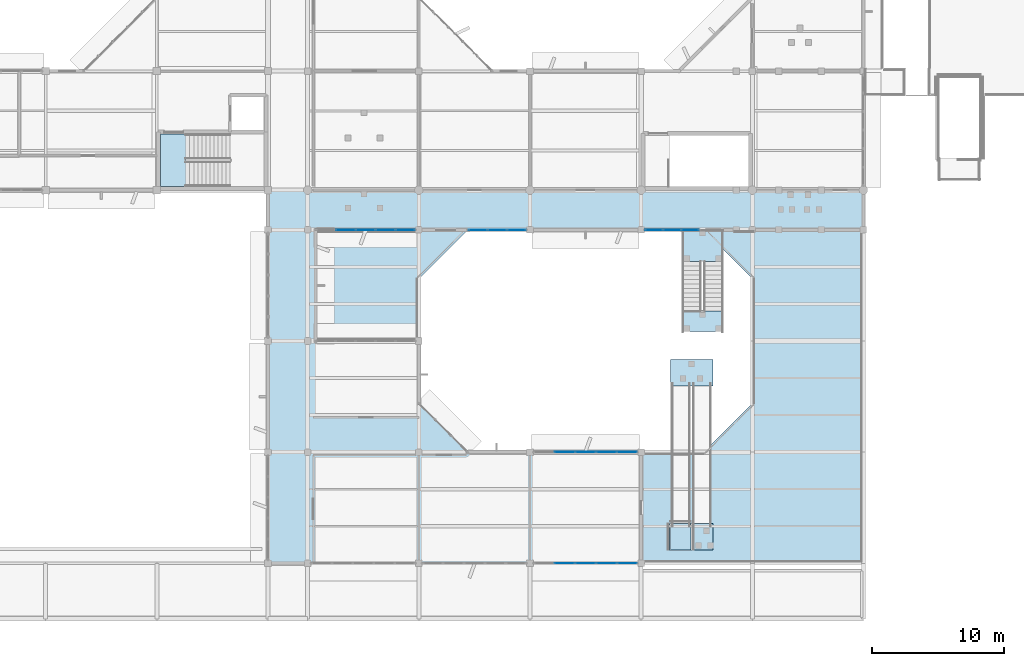
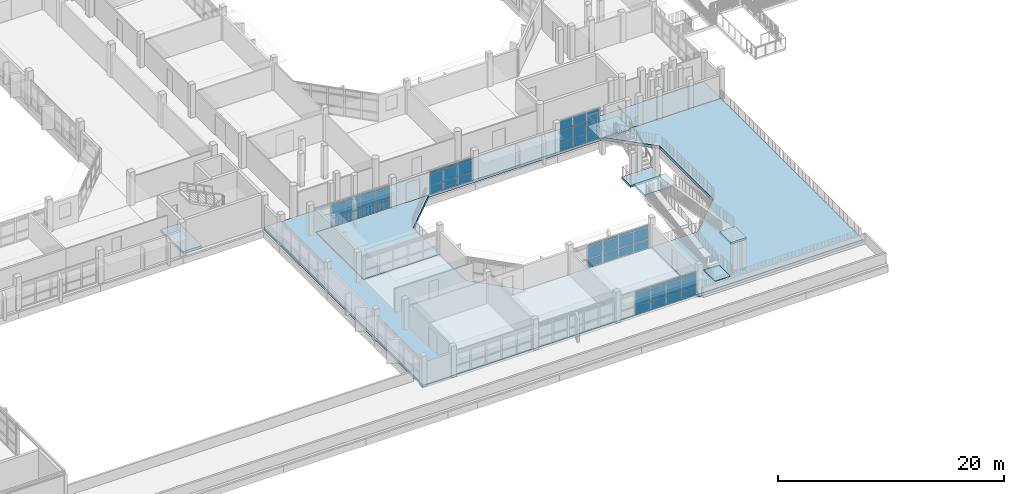
# One storey, part 49 of 92: 54 plates, 9 slabs, 7 elements without a shape of their own.
"""IFC4 building model written with IfcOpenShell, lengths in metres."""

from ifc_helpers import new_model, si_unit, direction, frame, origin, origin_2d, place, context, subcontext, project, spatial, polyline, rectangle, outline, extrude, material, layer, layer_set, type_object, element, aggregate, save


model = new_model("IFC4")

# Units and contexts
model_context = context("Model", 3, precision=1e-05, world=origin(), true_north=direction((0.0, 1.0)))
body_context = subcontext(model_context, "Body", "Model", "MODEL_VIEW")
ifc_project = project(units=[si_unit("LENGTHUNIT", "METRE"), si_unit("AREAUNIT", "SQUARE_METRE"), si_unit("VOLUMEUNIT", "CUBIC_METRE"), si_unit("PLANEANGLEUNIT", "RADIAN"), si_unit("MASSUNIT", "GRAM", prefix="KILO")], contexts=[model_context])

# Site, building, storey
site_placement = place(None, origin())
site = spatial("IfcSite", under=ifc_project, at=site_placement, CompositionType="ELEMENT")
building_placement = place(site_placement, origin())
building = spatial("IfcBuilding", under=site, at=building_placement, Name="Vanh Quang Courtyard School", CompositionType="ELEMENT")
storey_placement = place(building_placement, frame((0.0, 0.0, 7.800048828125)))
storey = spatial("IfcBuildingStorey", under=building, at=storey_placement, Name="L02", CompositionType="ELEMENT", Elevation=7.800048828125)

# Curtain wall, plates
ifc_material_1 = material(Name="Thermally broken aluminium unitised curtain wall", Category="aluminium")
curtain_wall_type_1 = type_object("IfcCurtainWallType", Name="CW-SYS-14", PredefinedType="NOTDEFINED", material=ifc_material_1)
curtain_wall_1_placement = place(storey_placement, origin())
curtain_wall_1 = element("IfcCurtainWall", 1, at=curtain_wall_1_placement, inside=storey, type_object=curtain_wall_type_1, Name="Curtain Wall CW-14 (L02)", PredefinedType="NOTDEFINED")
ifc_material_2 = material(Name="Low-E laminated double glazing", Category="glass")
ifc_layer_1 = layer(ifc_material_2, 0.028076171875)
ifc_layer_set_1 = layer_set([ifc_layer_1], Name="Low-E laminated double glazing")
plate_type_1 = type_object("IfcPlateType", Name="CW-PNL-28", PredefinedType="CURTAIN_PANEL", material=ifc_layer_set_1)
plate_1_placement = place(storey_placement, frame((106.306396484375, 29.39990234375, 0.06982421875), z_axis=(0.0, 0.0, 1.0), x_axis=(-1.0, 0.0, 0.0)))
plate_1 = element("IfcPlate", 2, at=plate_1_placement, type_object=plate_type_1, Name="CW-14 panel 1.1", PredefinedType="CURTAIN_PANEL", context=body_context, shape_type="SweptSolid", body=[
    extrude(rectangle(XDim=1.28125, YDim=0.028076171875, at=origin_2d()), origin(), (0.0, 0.0, 1.0), 0.844970703125),
])
plate_2_placement = place(storey_placement, frame((106.306396484375, 29.39990234375, 0.98486328125), z_axis=(0.0, 0.0, 1.0), x_axis=(-1.0, 0.0, 0.0)))
plate_2 = element("IfcPlate", 3, at=plate_2_placement, type_object=plate_type_1, Name="CW-14 panel 1.2", PredefinedType="CURTAIN_PANEL", context=body_context, shape_type="SweptSolid", body=[
    extrude(rectangle(XDim=1.28125, YDim=0.028076171875, at=origin_2d()), origin(), (0.0, 0.0, 1.0), 1.22998046875),
])
plate_3_placement = place(storey_placement, frame((106.306396484375, 29.39990234375, 2.28466796875), z_axis=(0.0, 0.0, 1.0), x_axis=(-1.0, 0.0, 0.0)))
plate_3 = element("IfcPlate", 4, at=plate_3_placement, type_object=plate_type_1, Name="CW-14 panel 1.3", PredefinedType="CURTAIN_PANEL", context=body_context, shape_type="SweptSolid", body=[
    extrude(rectangle(XDim=1.28125, YDim=0.028076171875, at=origin_2d()), origin(), (0.0, 0.0, 1.0), 0.985107421875),
])
plate_4_placement = place(storey_placement, frame((104.9375, 29.39990234375, 0.06982421875), z_axis=(0.0, 0.0, 1.0), x_axis=(-1.0, 0.0, 0.0)))
plate_4 = element("IfcPlate", 5, at=plate_4_placement, type_object=plate_type_1, Name="CW-14 panel 2.1", PredefinedType="CURTAIN_PANEL", context=body_context, shape_type="SweptSolid", body=[
    extrude(rectangle(XDim=1.31640625, YDim=0.028076171875, at=origin_2d()), origin(), (0.0, 0.0, 1.0), 0.844970703125),
])
plate_5_placement = place(storey_placement, frame((104.9375, 29.39990234375, 0.98486328125), z_axis=(0.0, 0.0, 1.0), x_axis=(-1.0, 0.0, 0.0)))
plate_5 = element("IfcPlate", 6, at=plate_5_placement, type_object=plate_type_1, Name="CW-14 panel 2.2", PredefinedType="CURTAIN_PANEL", context=body_context, shape_type="SweptSolid", body=[
    extrude(rectangle(XDim=1.31640625, YDim=0.028076171875, at=origin_2d()), origin(), (0.0, 0.0, 1.0), 1.22998046875),
])
plate_6_placement = place(storey_placement, frame((104.9375, 29.39990234375, 2.28466796875), z_axis=(0.0, 0.0, 1.0), x_axis=(-1.0, 0.0, 0.0)))
plate_6 = element("IfcPlate", 7, at=plate_6_placement, type_object=plate_type_1, Name="CW-14 panel 2.3", PredefinedType="CURTAIN_PANEL", context=body_context, shape_type="SweptSolid", body=[
    extrude(rectangle(XDim=1.31640625, YDim=0.028076171875, at=origin_2d()), origin(), (0.0, 0.0, 1.0), 0.985107421875),
])
plate_7_placement = place(storey_placement, frame((103.568603515625, 29.39990234375, 0.06982421875), z_axis=(0.0, 0.0, 1.0), x_axis=(-1.0, 0.0, 0.0)))
plate_7 = element("IfcPlate", 8, at=plate_7_placement, type_object=plate_type_1, Name="CW-14 panel 3.1", PredefinedType="CURTAIN_PANEL", context=body_context, shape_type="SweptSolid", body=[
    extrude(rectangle(XDim=1.28125, YDim=0.028076171875, at=origin_2d()), origin(), (0.0, 0.0, 1.0), 0.844970703125),
])
plate_8_placement = place(storey_placement, frame((103.568603515625, 29.39990234375, 0.98486328125), z_axis=(0.0, 0.0, 1.0), x_axis=(-1.0, 0.0, 0.0)))
plate_8 = element("IfcPlate", 9, at=plate_8_placement, type_object=plate_type_1, Name="CW-14 panel 3.2", PredefinedType="CURTAIN_PANEL", context=body_context, shape_type="SweptSolid", body=[
    extrude(rectangle(XDim=1.28125, YDim=0.028076171875, at=origin_2d()), origin(), (0.0, 0.0, 1.0), 1.22998046875),
])
plate_9_placement = place(storey_placement, frame((103.568603515625, 29.39990234375, 2.28466796875), z_axis=(0.0, 0.0, 1.0), x_axis=(-1.0, 0.0, 0.0)))
plate_9 = element("IfcPlate", 10, at=plate_9_placement, type_object=plate_type_1, Name="CW-14 panel 3.3", PredefinedType="CURTAIN_PANEL", context=body_context, shape_type="SweptSolid", body=[
    extrude(rectangle(XDim=1.28125, YDim=0.028076171875, at=origin_2d()), origin(), (0.0, 0.0, 1.0), 0.985107421875),
])
aggregate(curtain_wall_1, [plate_1, plate_2, plate_3, plate_4, plate_5, plate_6, plate_7, plate_8, plate_9])

curtain_wall_type_2 = type_object("IfcCurtainWallType", Name="CW-SYS-47", PredefinedType="NOTDEFINED", material=ifc_material_1)
curtain_wall_2_placement = place(storey_placement, origin())
curtain_wall_2 = element("IfcCurtainWall", 11, at=curtain_wall_2_placement, inside=storey, type_object=curtain_wall_type_2, Name="Curtain Wall CW-47 (L02)", PredefinedType="NOTDEFINED")
plate_10_placement = place(storey_placement, frame((84.772705078125, 29.39990234375, 0.06005859375), z_axis=(0.0, 0.0, 1.0), x_axis=(-1.0, 0.0, 0.0)))
plate_10 = element("IfcPlate", 12, at=plate_10_placement, type_object=plate_type_1, Name="CW-47 panel 1.1", PredefinedType="CURTAIN_PANEL", context=body_context, shape_type="SweptSolid", body=[
    extrude(rectangle(XDim=1.41845703125, YDim=0.028076171875, at=origin_2d()), origin(), (0.0, 0.0, 1.0), 0.860107421875),
])
plate_11_placement = place(storey_placement, frame((84.772705078125, 29.39990234375, 0.97998046875), z_axis=(0.0, 0.0, 1.0), x_axis=(-1.0, 0.0, 0.0)))
plate_11 = element("IfcPlate", 13, at=plate_11_placement, type_object=plate_type_1, Name="CW-47 panel 1.2", PredefinedType="CURTAIN_PANEL", context=body_context, shape_type="SweptSolid", body=[
    extrude(rectangle(XDim=1.41845703125, YDim=0.028076171875, at=origin_2d()), origin(), (0.0, 0.0, 1.0), 1.239990234375),
])
plate_12_placement = place(storey_placement, frame((84.772705078125, 29.39990234375, 2.27978515625), z_axis=(0.0, 0.0, 1.0), x_axis=(-1.0, 0.0, 0.0)))
plate_12 = element("IfcPlate", 14, at=plate_12_placement, type_object=plate_type_1, Name="CW-47 panel 1.3", PredefinedType="CURTAIN_PANEL", context=body_context, shape_type="SweptSolid", body=[
    extrude(rectangle(XDim=1.41845703125, YDim=0.028076171875, at=origin_2d()), origin(), (0.0, 0.0, 1.0), 0.239990234375),
])
plate_13_placement = place(storey_placement, frame((83.279296875, 29.39990234375, 0.06005859375), z_axis=(0.0, 0.0, 1.0), x_axis=(-1.0, 0.0, 0.0)))
plate_13 = element("IfcPlate", 15, at=plate_13_placement, type_object=plate_type_1, Name="CW-47 panel 2.1", PredefinedType="CURTAIN_PANEL", context=body_context, shape_type="SweptSolid", body=[
    extrude(rectangle(XDim=1.448486328125, YDim=0.028076171875, at=origin_2d()), origin(), (0.0, 0.0, 1.0), 0.860107421875),
])
plate_14_placement = place(storey_placement, frame((83.279296875, 29.39990234375, 0.97998046875), z_axis=(0.0, 0.0, 1.0), x_axis=(-1.0, 0.0, 0.0)))
plate_14 = element("IfcPlate", 16, at=plate_14_placement, type_object=plate_type_1, Name="CW-47 panel 2.2", PredefinedType="CURTAIN_PANEL", context=body_context, shape_type="SweptSolid", body=[
    extrude(rectangle(XDim=1.448486328125, YDim=0.028076171875, at=origin_2d()), origin(), (0.0, 0.0, 1.0), 1.239990234375),
])
plate_15_placement = place(storey_placement, frame((83.279296875, 29.39990234375, 2.27978515625), z_axis=(0.0, 0.0, 1.0), x_axis=(-1.0, 0.0, 0.0)))
plate_15 = element("IfcPlate", 17, at=plate_15_placement, type_object=plate_type_1, Name="CW-47 panel 2.3", PredefinedType="CURTAIN_PANEL", context=body_context, shape_type="SweptSolid", body=[
    extrude(rectangle(XDim=1.448486328125, YDim=0.028076171875, at=origin_2d()), origin(), (0.0, 0.0, 1.0), 0.239990234375),
])
plate_16_placement = place(storey_placement, frame((81.77099609375, 29.39990234375, 0.06005859375), z_axis=(0.0, 0.0, 1.0), x_axis=(-1.0, 0.0, 0.0)))
plate_16 = element("IfcPlate", 18, at=plate_16_placement, type_object=plate_type_1, Name="CW-47 panel 3.1", PredefinedType="CURTAIN_PANEL", context=body_context, shape_type="SweptSolid", body=[
    extrude(rectangle(XDim=1.448486328125, YDim=0.028076171875, at=origin_2d()), origin(), (0.0, 0.0, 1.0), 0.860107421875),
])
plate_17_placement = place(storey_placement, frame((81.77099609375, 29.39990234375, 0.97998046875), z_axis=(0.0, 0.0, 1.0), x_axis=(-1.0, 0.0, 0.0)))
plate_17 = element("IfcPlate", 19, at=plate_17_placement, type_object=plate_type_1, Name="CW-47 panel 3.2", PredefinedType="CURTAIN_PANEL", context=body_context, shape_type="SweptSolid", body=[
    extrude(rectangle(XDim=1.448486328125, YDim=0.028076171875, at=origin_2d()), origin(), (0.0, 0.0, 1.0), 1.239990234375),
])
plate_18_placement = place(storey_placement, frame((81.77099609375, 29.39990234375, 2.27978515625), z_axis=(0.0, 0.0, 1.0), x_axis=(-1.0, 0.0, 0.0)))
plate_18 = element("IfcPlate", 20, at=plate_18_placement, type_object=plate_type_1, Name="CW-47 panel 3.3", PredefinedType="CURTAIN_PANEL", context=body_context, shape_type="SweptSolid", body=[
    extrude(rectangle(XDim=1.448486328125, YDim=0.028076171875, at=origin_2d()), origin(), (0.0, 0.0, 1.0), 0.239990234375),
])
plate_19_placement = place(storey_placement, frame((80.2626953125, 29.39990234375, 0.06005859375), z_axis=(0.0, 0.0, 1.0), x_axis=(-1.0, 0.0, 0.0)))
plate_19 = element("IfcPlate", 21, at=plate_19_placement, type_object=plate_type_1, Name="CW-47 panel 4.1", PredefinedType="CURTAIN_PANEL", context=body_context, shape_type="SweptSolid", body=[
    extrude(rectangle(XDim=1.448486328125, YDim=0.028076171875, at=origin_2d()), origin(), (0.0, 0.0, 1.0), 0.860107421875),
])
plate_20_placement = place(storey_placement, frame((80.2626953125, 29.39990234375, 0.97998046875), z_axis=(0.0, 0.0, 1.0), x_axis=(-1.0, 0.0, 0.0)))
plate_20 = element("IfcPlate", 22, at=plate_20_placement, type_object=plate_type_1, Name="CW-47 panel 4.2", PredefinedType="CURTAIN_PANEL", context=body_context, shape_type="SweptSolid", body=[
    extrude(rectangle(XDim=1.448486328125, YDim=0.028076171875, at=origin_2d()), origin(), (0.0, 0.0, 1.0), 1.239990234375),
])
plate_21_placement = place(storey_placement, frame((80.2626953125, 29.39990234375, 2.27978515625), z_axis=(0.0, 0.0, 1.0), x_axis=(-1.0, 0.0, 0.0)))
plate_21 = element("IfcPlate", 23, at=plate_21_placement, type_object=plate_type_1, Name="CW-47 panel 4.3", PredefinedType="CURTAIN_PANEL", context=body_context, shape_type="SweptSolid", body=[
    extrude(rectangle(XDim=1.448486328125, YDim=0.028076171875, at=origin_2d()), origin(), (0.0, 0.0, 1.0), 0.239990234375),
])
aggregate(curtain_wall_2, [plate_10, plate_11, plate_12, plate_13, plate_14, plate_15, plate_16, plate_17, plate_18, plate_19, plate_20, plate_21])

curtain_wall_type_3 = type_object("IfcCurtainWallType", Name="CW-SYS-19", PredefinedType="NOTDEFINED", material=ifc_material_1)
curtain_wall_3_placement = place(storey_placement, origin())
curtain_wall_3 = element("IfcCurtainWall", 24, at=curtain_wall_3_placement, inside=storey, type_object=curtain_wall_type_3, Name="Curtain Wall CW-19 (L02)", PredefinedType="NOTDEFINED")
plate_22_placement = place(storey_placement, frame((101.5361328125, 4.199951171875, 0.06982421875), z_axis=(0.0, 0.0, 1.0), x_axis=(-1.0, 0.0, 0.0)))
plate_22 = element("IfcPlate", 25, at=plate_22_placement, type_object=plate_type_1, Name="CW-19 panel 1.1", PredefinedType="CURTAIN_PANEL", context=body_context, shape_type="SweptSolid", body=[
    extrude(rectangle(XDim=1.4716796875, YDim=0.028076171875, at=origin_2d()), origin(), (0.0, 0.0, 1.0), 0.844970703125),
])
plate_23_placement = place(storey_placement, frame((101.5361328125, 4.199951171875, 0.98486328125), z_axis=(0.0, 0.0, 1.0), x_axis=(-1.0, 0.0, 0.0)))
plate_23 = element("IfcPlate", 26, at=plate_23_placement, type_object=plate_type_1, Name="CW-19 panel 1.2", PredefinedType="CURTAIN_PANEL", context=body_context, shape_type="SweptSolid", body=[
    extrude(rectangle(XDim=1.4716796875, YDim=0.028076171875, at=origin_2d()), origin(), (0.0, 0.0, 1.0), 1.22998046875),
])
plate_24_placement = place(storey_placement, frame((101.5361328125, 4.199951171875, 2.284912109375), z_axis=(0.0, 0.0, 1.0), x_axis=(-1.0, 0.0, 0.0)))
plate_24 = element("IfcPlate", 27, at=plate_24_placement, type_object=plate_type_1, Name="CW-19 panel 1.3", PredefinedType="CURTAIN_PANEL", context=body_context, shape_type="SweptSolid", body=[
    extrude(rectangle(XDim=1.4716796875, YDim=0.028076171875, at=origin_2d()), origin(), (0.0, 0.0, 1.0), 0.22509765625),
])
plate_25_placement = place(storey_placement, frame((99.976806640625, 4.199951171875, 0.06982421875), z_axis=(0.0, 0.0, 1.0), x_axis=(-1.0, 0.0, 0.0)))
plate_25 = element("IfcPlate", 28, at=plate_25_placement, type_object=plate_type_1, Name="CW-19 panel 2.1", PredefinedType="CURTAIN_PANEL", context=body_context, shape_type="SweptSolid", body=[
    extrude(rectangle(XDim=1.5068359375, YDim=0.028076171875, at=origin_2d()), origin(), (0.0, 0.0, 1.0), 0.844970703125),
])
plate_26_placement = place(storey_placement, frame((99.976806640625, 4.199951171875, 0.98486328125), z_axis=(0.0, 0.0, 1.0), x_axis=(-1.0, 0.0, 0.0)))
plate_26 = element("IfcPlate", 29, at=plate_26_placement, type_object=plate_type_1, Name="CW-19 panel 2.2", PredefinedType="CURTAIN_PANEL", context=body_context, shape_type="SweptSolid", body=[
    extrude(rectangle(XDim=1.5068359375, YDim=0.028076171875, at=origin_2d()), origin(), (0.0, 0.0, 1.0), 1.22998046875),
])
plate_27_placement = place(storey_placement, frame((99.976806640625, 4.199951171875, 2.284912109375), z_axis=(0.0, 0.0, 1.0), x_axis=(-1.0, 0.0, 0.0)))
plate_27 = element("IfcPlate", 30, at=plate_27_placement, type_object=plate_type_1, Name="CW-19 panel 2.3", PredefinedType="CURTAIN_PANEL", context=body_context, shape_type="SweptSolid", body=[
    extrude(rectangle(XDim=1.5068359375, YDim=0.028076171875, at=origin_2d()), origin(), (0.0, 0.0, 1.0), 0.22509765625),
])
plate_28_placement = place(storey_placement, frame((98.39990234375, 4.199951171875, 0.06982421875), z_axis=(0.0, 0.0, 1.0), x_axis=(-1.0, 0.0, 0.0)))
plate_28 = element("IfcPlate", 31, at=plate_28_placement, type_object=plate_type_1, Name="CW-19 panel 3.1", PredefinedType="CURTAIN_PANEL", context=body_context, shape_type="SweptSolid", body=[
    extrude(rectangle(XDim=1.5068359375, YDim=0.028076171875, at=origin_2d()), origin(), (0.0, 0.0, 1.0), 0.844970703125),
])
plate_29_placement = place(storey_placement, frame((98.39990234375, 4.199951171875, 0.98486328125), z_axis=(0.0, 0.0, 1.0), x_axis=(-1.0, 0.0, 0.0)))
plate_29 = element("IfcPlate", 32, at=plate_29_placement, type_object=plate_type_1, Name="CW-19 panel 3.2", PredefinedType="CURTAIN_PANEL", context=body_context, shape_type="SweptSolid", body=[
    extrude(rectangle(XDim=1.5068359375, YDim=0.028076171875, at=origin_2d()), origin(), (0.0, 0.0, 1.0), 1.22998046875),
])
plate_30_placement = place(storey_placement, frame((98.39990234375, 4.199951171875, 2.284912109375), z_axis=(0.0, 0.0, 1.0), x_axis=(-1.0, 0.0, 0.0)))
plate_30 = element("IfcPlate", 33, at=plate_30_placement, type_object=plate_type_1, Name="CW-19 panel 3.3", PredefinedType="CURTAIN_PANEL", context=body_context, shape_type="SweptSolid", body=[
    extrude(rectangle(XDim=1.5068359375, YDim=0.028076171875, at=origin_2d()), origin(), (0.0, 0.0, 1.0), 0.22509765625),
])
plate_31_placement = place(storey_placement, frame((96.8232421875, 4.199951171875, 0.06982421875), z_axis=(0.0, 0.0, 1.0), x_axis=(-1.0, 0.0, 0.0)))
plate_31 = element("IfcPlate", 34, at=plate_31_placement, type_object=plate_type_1, Name="CW-19 panel 4.1", PredefinedType="CURTAIN_PANEL", context=body_context, shape_type="SweptSolid", body=[
    extrude(rectangle(XDim=1.5068359375, YDim=0.028076171875, at=origin_2d()), origin(), (0.0, 0.0, 1.0), 0.844970703125),
])
plate_32_placement = place(storey_placement, frame((96.8232421875, 4.199951171875, 0.98486328125), z_axis=(0.0, 0.0, 1.0), x_axis=(-1.0, 0.0, 0.0)))
plate_32 = element("IfcPlate", 35, at=plate_32_placement, type_object=plate_type_1, Name="CW-19 panel 4.2", PredefinedType="CURTAIN_PANEL", context=body_context, shape_type="SweptSolid", body=[
    extrude(rectangle(XDim=1.5068359375, YDim=0.028076171875, at=origin_2d()), origin(), (0.0, 0.0, 1.0), 1.22998046875),
])
plate_33_placement = place(storey_placement, frame((96.8232421875, 4.199951171875, 2.284912109375), z_axis=(0.0, 0.0, 1.0), x_axis=(-1.0, 0.0, 0.0)))
plate_33 = element("IfcPlate", 36, at=plate_33_placement, type_object=plate_type_1, Name="CW-19 panel 4.3", PredefinedType="CURTAIN_PANEL", context=body_context, shape_type="SweptSolid", body=[
    extrude(rectangle(XDim=1.5068359375, YDim=0.028076171875, at=origin_2d()), origin(), (0.0, 0.0, 1.0), 0.22509765625),
])
aggregate(curtain_wall_3, [plate_22, plate_23, plate_24, plate_25, plate_26, plate_27, plate_28, plate_29, plate_30, plate_31, plate_32, plate_33])

curtain_wall_type_4 = type_object("IfcCurtainWallType", Name="CW-SYS-38", PredefinedType="NOTDEFINED", material=ifc_material_1)
curtain_wall_4_placement = place(storey_placement, origin())
curtain_wall_4 = element("IfcCurtainWall", 37, at=curtain_wall_4_placement, inside=storey, type_object=curtain_wall_type_4, Name="Curtain Wall CW-38 (L02)", PredefinedType="NOTDEFINED")
ifc_layer_2 = layer(ifc_material_2, 0.031982421875)
ifc_layer_set_2 = layer_set([ifc_layer_2], Name="Low-E laminated double glazing")
plate_type_2 = type_object("IfcPlateType", Name="CW-PNL-32", PredefinedType="CURTAIN_PANEL", material=ifc_layer_set_2)
plate_34_placement = place(storey_placement, frame((93.180908203125, 29.39990234375, 0.079833984375), z_axis=(0.0, 0.0, 1.0), x_axis=(-1.0, 0.0, 0.0)))
plate_34 = element("IfcPlate", 38, at=plate_34_placement, type_object=plate_type_2, Name="CW-38 panel 1.1", PredefinedType="CURTAIN_PANEL", context=body_context, shape_type="SweptSolid", body=[
    extrude(rectangle(XDim=1.362060546875, YDim=0.031982421875, at=origin_2d()), origin(), (0.0, 0.0, 1.0), 0.830078125),
])
plate_35_placement = place(storey_placement, frame((93.180908203125, 29.39990234375, 0.98974609375), z_axis=(0.0, 0.0, 1.0), x_axis=(-1.0, 0.0, 0.0)))
plate_35 = element("IfcPlate", 39, at=plate_35_placement, type_object=plate_type_2, Name="CW-38 panel 1.2", PredefinedType="CURTAIN_PANEL", context=body_context, shape_type="SweptSolid", body=[
    extrude(rectangle(XDim=1.362060546875, YDim=0.031982421875, at=origin_2d()), origin(), (0.0, 0.0, 1.0), 1.219970703125),
])
plate_36_placement = place(storey_placement, frame((93.180908203125, 29.39990234375, 2.2900390625), z_axis=(0.0, 0.0, 1.0), x_axis=(-1.0, 0.0, 0.0)))
plate_36 = element("IfcPlate", 40, at=plate_36_placement, type_object=plate_type_2, Name="CW-38 panel 1.3", PredefinedType="CURTAIN_PANEL", context=body_context, shape_type="SweptSolid", body=[
    extrude(rectangle(XDim=1.362060546875, YDim=0.031982421875, at=origin_2d()), origin(), (0.0, 0.0, 1.0), 0.2099609375),
])
plate_37_placement = place(storey_placement, frame((91.718994140625, 29.39990234375, 0.079833984375), z_axis=(0.0, 0.0, 1.0), x_axis=(-1.0, 0.0, 0.0)))
plate_37 = element("IfcPlate", 41, at=plate_37_placement, type_object=plate_type_2, Name="CW-38 panel 2.1", PredefinedType="CURTAIN_PANEL", context=body_context, shape_type="SweptSolid", body=[
    extrude(rectangle(XDim=1.402099609375, YDim=0.031982421875, at=origin_2d()), origin(), (0.0, 0.0, 1.0), 0.830078125),
])
plate_38_placement = place(storey_placement, frame((91.718994140625, 29.39990234375, 0.98974609375), z_axis=(0.0, 0.0, 1.0), x_axis=(-1.0, 0.0, 0.0)))
plate_38 = element("IfcPlate", 42, at=plate_38_placement, type_object=plate_type_2, Name="CW-38 panel 2.2", PredefinedType="CURTAIN_PANEL", context=body_context, shape_type="SweptSolid", body=[
    extrude(rectangle(XDim=1.402099609375, YDim=0.031982421875, at=origin_2d()), origin(), (0.0, 0.0, 1.0), 1.219970703125),
])
plate_39_placement = place(storey_placement, frame((91.718994140625, 29.39990234375, 2.2900390625), z_axis=(0.0, 0.0, 1.0), x_axis=(-1.0, 0.0, 0.0)))
plate_39 = element("IfcPlate", 43, at=plate_39_placement, type_object=plate_type_2, Name="CW-38 panel 2.3", PredefinedType="CURTAIN_PANEL", context=body_context, shape_type="SweptSolid", body=[
    extrude(rectangle(XDim=1.402099609375, YDim=0.031982421875, at=origin_2d()), origin(), (0.0, 0.0, 1.0), 0.2099609375),
])
plate_40_placement = place(storey_placement, frame((90.257080078125, 29.39990234375, 0.079833984375), z_axis=(0.0, 0.0, 1.0), x_axis=(-1.0, 0.0, 0.0)))
plate_40 = element("IfcPlate", 44, at=plate_40_placement, type_object=plate_type_2, Name="CW-38 panel 3.1", PredefinedType="CURTAIN_PANEL", context=body_context, shape_type="SweptSolid", body=[
    extrude(rectangle(XDim=1.362060546875, YDim=0.031982421875, at=origin_2d()), origin(), (0.0, 0.0, 1.0), 0.830078125),
])
plate_41_placement = place(storey_placement, frame((90.257080078125, 29.39990234375, 0.98974609375), z_axis=(0.0, 0.0, 1.0), x_axis=(-1.0, 0.0, 0.0)))
plate_41 = element("IfcPlate", 45, at=plate_41_placement, type_object=plate_type_2, Name="CW-38 panel 3.2", PredefinedType="CURTAIN_PANEL", context=body_context, shape_type="SweptSolid", body=[
    extrude(rectangle(XDim=1.362060546875, YDim=0.031982421875, at=origin_2d()), origin(), (0.0, 0.0, 1.0), 1.219970703125),
])
plate_42_placement = place(storey_placement, frame((90.257080078125, 29.39990234375, 2.2900390625), z_axis=(0.0, 0.0, 1.0), x_axis=(-1.0, 0.0, 0.0)))
plate_42 = element("IfcPlate", 46, at=plate_42_placement, type_object=plate_type_2, Name="CW-38 panel 3.3", PredefinedType="CURTAIN_PANEL", context=body_context, shape_type="SweptSolid", body=[
    extrude(rectangle(XDim=1.362060546875, YDim=0.031982421875, at=origin_2d()), origin(), (0.0, 0.0, 1.0), 0.2099609375),
])
aggregate(curtain_wall_4, [plate_34, plate_35, plate_36, plate_37, plate_38, plate_39, plate_40, plate_41, plate_42])

curtain_wall_5_placement = place(storey_placement, origin())
curtain_wall_5 = element("IfcCurtainWall", 47, at=curtain_wall_5_placement, inside=storey, type_object=curtain_wall_type_3, Name="Curtain Wall CW-19 (L02)", PredefinedType="NOTDEFINED")
plate_43_placement = place(storey_placement, frame((96.8232421875, 12.60009765625, 0.06005859375), z_axis=(0.0, 0.0, 1.0), x_axis=(1.0, 0.0, 0.0)))
plate_43 = element("IfcPlate", 48, at=plate_43_placement, type_object=plate_type_2, Name="CW-19 panel 2.1", PredefinedType="CURTAIN_PANEL", context=body_context, shape_type="SweptSolid", body=[
    extrude(rectangle(XDim=1.516845703125, YDim=0.031982421875, at=origin_2d()), origin(), (0.0, 0.0, 1.0), 0.860107421875),
])
plate_44_placement = place(storey_placement, frame((96.8232421875, 12.60009765625, 0.97998046875), z_axis=(0.0, 0.0, 1.0), x_axis=(1.0, 0.0, 0.0)))
plate_44 = element("IfcPlate", 49, at=plate_44_placement, type_object=plate_type_2, Name="CW-19 panel 2.2", PredefinedType="CURTAIN_PANEL", context=body_context, shape_type="SweptSolid", body=[
    extrude(rectangle(XDim=1.516845703125, YDim=0.031982421875, at=origin_2d()), origin(), (0.0, 0.0, 1.0), 1.239990234375),
])
plate_45_placement = place(storey_placement, frame((96.8232421875, 12.60009765625, 2.27978515625), z_axis=(0.0, 0.0, 1.0), x_axis=(1.0, 0.0, 0.0)))
plate_45 = element("IfcPlate", 50, at=plate_45_placement, type_object=plate_type_2, Name="CW-19 panel 2.3", PredefinedType="CURTAIN_PANEL", context=body_context, shape_type="SweptSolid", body=[
    extrude(rectangle(XDim=1.516845703125, YDim=0.031982421875, at=origin_2d()), origin(), (0.0, 0.0, 1.0), 0.239990234375),
])
plate_46_placement = place(storey_placement, frame((98.39990234375, 12.60009765625, 0.06005859375), z_axis=(0.0, 0.0, 1.0), x_axis=(1.0, 0.0, 0.0)))
plate_46 = element("IfcPlate", 51, at=plate_46_placement, type_object=plate_type_2, Name="CW-19 panel 3.1", PredefinedType="CURTAIN_PANEL", context=body_context, shape_type="SweptSolid", body=[
    extrude(rectangle(XDim=1.516845703125, YDim=0.031982421875, at=origin_2d()), origin(), (0.0, 0.0, 1.0), 0.860107421875),
])
plate_47_placement = place(storey_placement, frame((98.39990234375, 12.60009765625, 0.97998046875), z_axis=(0.0, 0.0, 1.0), x_axis=(1.0, 0.0, 0.0)))
plate_47 = element("IfcPlate", 52, at=plate_47_placement, type_object=plate_type_2, Name="CW-19 panel 3.2", PredefinedType="CURTAIN_PANEL", context=body_context, shape_type="SweptSolid", body=[
    extrude(rectangle(XDim=1.516845703125, YDim=0.031982421875, at=origin_2d()), origin(), (0.0, 0.0, 1.0), 1.239990234375),
])
plate_48_placement = place(storey_placement, frame((98.39990234375, 12.60009765625, 2.27978515625), z_axis=(0.0, 0.0, 1.0), x_axis=(1.0, 0.0, 0.0)))
plate_48 = element("IfcPlate", 53, at=plate_48_placement, type_object=plate_type_2, Name="CW-19 panel 3.3", PredefinedType="CURTAIN_PANEL", context=body_context, shape_type="SweptSolid", body=[
    extrude(rectangle(XDim=1.516845703125, YDim=0.031982421875, at=origin_2d()), origin(), (0.0, 0.0, 1.0), 0.239990234375),
])
plate_49_placement = place(storey_placement, frame((99.976806640625, 12.60009765625, 0.06005859375), z_axis=(0.0, 0.0, 1.0), x_axis=(1.0, 0.0, 0.0)))
plate_49 = element("IfcPlate", 54, at=plate_49_placement, type_object=plate_type_2, Name="CW-19 panel 4.1", PredefinedType="CURTAIN_PANEL", context=body_context, shape_type="SweptSolid", body=[
    extrude(rectangle(XDim=1.516845703125, YDim=0.031982421875, at=origin_2d()), origin(), (0.0, 0.0, 1.0), 0.860107421875),
])
plate_50_placement = place(storey_placement, frame((99.976806640625, 12.60009765625, 0.97998046875), z_axis=(0.0, 0.0, 1.0), x_axis=(1.0, 0.0, 0.0)))
plate_50 = element("IfcPlate", 55, at=plate_50_placement, type_object=plate_type_2, Name="CW-19 panel 4.2", PredefinedType="CURTAIN_PANEL", context=body_context, shape_type="SweptSolid", body=[
    extrude(rectangle(XDim=1.516845703125, YDim=0.031982421875, at=origin_2d()), origin(), (0.0, 0.0, 1.0), 1.239990234375),
])
plate_51_placement = place(storey_placement, frame((99.976806640625, 12.60009765625, 2.27978515625), z_axis=(0.0, 0.0, 1.0), x_axis=(1.0, 0.0, 0.0)))
plate_51 = element("IfcPlate", 56, at=plate_51_placement, type_object=plate_type_2, Name="CW-19 panel 4.3", PredefinedType="CURTAIN_PANEL", context=body_context, shape_type="SweptSolid", body=[
    extrude(rectangle(XDim=1.516845703125, YDim=0.031982421875, at=origin_2d()), origin(), (0.0, 0.0, 1.0), 0.239990234375),
])
plate_52_placement = place(storey_placement, frame((101.53857421875, 12.60009765625, 0.06005859375), z_axis=(0.0, 0.0, 1.0), x_axis=(1.0, 0.0, 0.0)))
plate_52 = element("IfcPlate", 57, at=plate_52_placement, type_object=plate_type_2, Name="CW-19 panel 5.1", PredefinedType="CURTAIN_PANEL", context=body_context, shape_type="SweptSolid", body=[
    extrude(rectangle(XDim=1.48681640625, YDim=0.031982421875, at=origin_2d()), origin(), (0.0, 0.0, 1.0), 0.860107421875),
])
plate_53_placement = place(storey_placement, frame((101.53857421875, 12.60009765625, 0.97998046875), z_axis=(0.0, 0.0, 1.0), x_axis=(1.0, 0.0, 0.0)))
plate_53 = element("IfcPlate", 58, at=plate_53_placement, type_object=plate_type_2, Name="CW-19 panel 5.2", PredefinedType="CURTAIN_PANEL", context=body_context, shape_type="SweptSolid", body=[
    extrude(rectangle(XDim=1.48681640625, YDim=0.031982421875, at=origin_2d()), origin(), (0.0, 0.0, 1.0), 1.239990234375),
])
plate_54_placement = place(storey_placement, frame((101.53857421875, 12.60009765625, 2.27978515625), z_axis=(0.0, 0.0, 1.0), x_axis=(1.0, 0.0, 0.0)))
plate_54 = element("IfcPlate", 59, at=plate_54_placement, type_object=plate_type_2, Name="CW-19 panel 5.3", PredefinedType="CURTAIN_PANEL", context=body_context, shape_type="SweptSolid", body=[
    extrude(rectangle(XDim=1.48681640625, YDim=0.031982421875, at=origin_2d()), origin(), (0.0, 0.0, 1.0), 0.239990234375),
])
aggregate(curtain_wall_5, [plate_43, plate_44, plate_45, plate_46, plate_47, plate_48, plate_49, plate_50, plate_51, plate_52, plate_53, plate_54])

# Slabs
ifc_material_3 = material(Name="Concrete C30/37", Category="concrete")
ifc_layer_3 = layer(ifc_material_3, 0.280029296875)
ifc_layer_set_3 = layer_set([ifc_layer_3], Name="Concrete C30/37")
slab_type_1 = type_object("IfcSlabType", Name="SLB-FLR-280", PredefinedType="FLOOR", material=ifc_layer_set_3)
slab_1_placement = place(storey_placement, frame((0.0, 0.0, -0.280029296875)))
element("IfcSlab", 60, at=slab_1_placement, inside=storey, type_object=slab_type_1, Name="Slab SF-02 (L02)", PredefinedType="FLOOR", context=body_context, shape_type="SweptSolid", body=[
    extrude(outline(polyline([(102.60009765625, 4.199951171875), (102.60009765625, 12.60009765625), (89.49609375, 12.60009765625), (85.800048828125, 16.2958984375), (85.800048828125, 21.0), (78.0, 21.0), (78.0, 29.39990234375), (119.39990234375, 29.39990234375), (119.39990234375, 32.39990234375), (74.39990234375, 32.39990234375), (74.39990234375, 4.199951171875), (102.60009765625, 4.199951171875)])), origin(), (0.0, 0.0, 1.0), 0.280029296875),
])
slab_2_placement = place(storey_placement, frame((0.0, 0.0, -0.280029296875)))
element("IfcSlab", 61, at=slab_2_placement, inside=storey, type_object=slab_type_1, Name="Slab SF-02 (L02)", PredefinedType="FLOOR", context=body_context, shape_type="SweptSolid", body=[
    extrude(outline(polyline([(68.2099609375, 32.679931640625), (66.280029296875, 32.679931640625), (66.280029296875, 36.639892578125), (68.2099609375, 36.639892578125), (68.2099609375, 32.679931640625)])), origin(), (0.0, 0.0, 1.0), 0.280029296875),
])
ifc_material_4 = material(Name="Concrete C35/45", Category="concrete")
ifc_layer_4 = layer(ifc_material_4, 0.320068359375)
ifc_layer_set_4 = layer_set([ifc_layer_4], Name="Concrete C35/45")
slab_type_2 = type_object("IfcSlabType", Name="SLB-PDK-320", PredefinedType="FLOOR", material=ifc_layer_set_4)
slab_3_placement = place(storey_placement, frame((0.0, 0.0, -0.320068359375)))
element("IfcSlab", 62, at=slab_3_placement, inside=storey, type_object=slab_type_2, Name="Slab SP-01 (L02)", PredefinedType="FLOOR", context=body_context, shape_type="SweptSolid", body=[
    extrude(outline(polyline([(78.0, 29.39990234375), (78.0, 21.0), (85.800048828125, 21.0), (85.800048828125, 25.7041015625), (89.49609375, 29.39990234375), (78.0, 29.39990234375)])), origin(), (0.0, 0.0, 1.0), 0.320068359375),
])
slab_4_placement = place(storey_placement, frame((0.0, 0.0, -0.320068359375)))
element("IfcSlab", 63, at=slab_4_placement, inside=storey, type_object=slab_type_2, Name="Slab SP-01 (L02)", PredefinedType="FLOOR", context=body_context, shape_type="SweptSolid", body=[
    extrude(outline(polyline([(119.39990234375, 29.39990234375), (107.303955078125, 29.39990234375), (111.0, 25.7041015625), (111.0, 16.2958984375), (107.303955078125, 12.60009765625), (102.60009765625, 12.60009765625), (102.60009765625, 4.199951171875), (119.39990234375, 4.199951171875), (119.39990234375, 29.39990234375)]), holes=[polyline([(104.789306640625, 5.189453125), (104.784912109375, 5.199951171875), (104.784912109375, 7.199951171875), (104.788330078125, 7.20947265625), (104.800048828125, 7.215087890625), (106.3798828125, 7.215087890625), (106.389404296875, 7.211669921875), (106.39501953125, 7.199951171875), (106.39501953125, 5.199951171875), (106.3916015625, 5.1904296875), (106.3798828125, 5.18505859375), (104.800048828125, 5.18505859375), (104.789306640625, 5.189453125)])]), origin(), (0.0, 0.0, 1.0), 0.320068359375),
])

# Ramp, slabs
ramp_type = type_object("IfcRampType", Name="RAMP-ACC-1400", PredefinedType="TWO_STRAIGHT_RUN_RAMP", material=ifc_material_3)
ramp_placement = place(storey_placement, origin())
ramp = element("IfcRamp", 64, at=ramp_placement, inside=storey, type_object=ramp_type, Name="Ramp RMP-03 (L02)", PredefinedType="TWO_STRAIGHT_RUN_RAMP")
ifc_layer_5 = layer(ifc_material_3, 0.219970703125)
ifc_layer_set_5 = layer_set([ifc_layer_5], Name="Concrete C30/37")
slab_type_3 = type_object("IfcSlabType", Name="SLB-RMPLND-220", PredefinedType="LANDING", material=ifc_layer_set_5)
slab_5_placement = place(storey_placement, frame((0.0, 0.0, -0.219970703125)))
slab_5 = element("IfcSlab", 65, at=slab_5_placement, type_object=slab_type_3, Name="Slab SL-RMP (L02)", PredefinedType="LANDING", context=body_context, shape_type="SweptSolid", body=[
    extrude(outline(polyline([(106.3798828125, 5.199951171875), (106.3798828125, 7.199951171875), (104.800048828125, 7.199951171875), (104.800048828125, 5.199951171875), (106.3798828125, 5.199951171875)])), origin(), (0.0, 0.0, 1.0), 0.219970703125),
])
slab_6_placement = place(storey_placement, frame((0.0, 0.0, 1.579833984375)))
slab_6 = element("IfcSlab", 66, at=slab_6_placement, type_object=slab_type_3, Name="Slab SL-RMP (L02)", PredefinedType="LANDING", context=body_context, shape_type="SweptSolid", body=[
    extrude(outline(polyline([(108.0400390625, 17.60009765625), (108.0400390625, 19.60009765625), (104.800048828125, 19.60009765625), (104.800048828125, 17.60009765625), (108.0400390625, 17.60009765625)])), origin(), (0.0, 0.0, 1.0), 0.22021484375),
])
slab_7_placement = place(storey_placement, frame((0.0, 0.0, 3.3798828125)))
slab_7 = element("IfcSlab", 67, at=slab_7_placement, type_object=slab_type_3, Name="Slab SL-RMP (L02)", PredefinedType="LANDING", context=body_context, shape_type="SweptSolid", body=[
    extrude(outline(polyline([(108.0400390625, 5.199951171875), (108.0400390625, 7.199951171875), (106.419921875, 7.199951171875), (106.419921875, 5.199951171875), (108.0400390625, 5.199951171875)])), origin(), (0.0, 0.0, 1.0), 0.219970703125),
])
aggregate(ramp, [slab_5, slab_6, slab_7])

# Stair, slab
stair_type = type_object("IfcStairType", Name="STR-CORE-1450", PredefinedType="HALF_TURN_STAIR", material=ifc_material_3)
stair_placement = place(storey_placement, origin())
stair = element("IfcStair", 68, at=stair_placement, inside=storey, type_object=stair_type, Name="L02 ST-T3", PredefinedType="HALF_TURN_STAIR")
ifc_layer_6 = layer(ifc_material_3, 0.199951171875)
ifc_layer_set_6 = layer_set([ifc_layer_6], Name="Concrete C30/37")
slab_type_4 = type_object("IfcSlabType", Name="SLB-TLND-200", PredefinedType="LANDING", material=ifc_layer_set_6)
slab_8_placement = place(storey_placement, frame((0.0, 0.0, 1.599853515625)))
slab_8 = element("IfcSlab", 69, at=slab_8_placement, type_object=slab_type_4, Name="ST-T3 landing 1", PredefinedType="LANDING", context=body_context, shape_type="SweptSolid", body=[
    extrude(outline(polyline([(108.800048828125, 26.989990234375), (108.800048828125, 29.39990234375), (105.699951171875, 29.39990234375), (105.699951171875, 26.989990234375), (108.800048828125, 26.989990234375)])), origin(), (0.0, 0.0, 1.0), 0.2001953125),
])
aggregate(stair, [slab_8])

# Slab
slab_9_placement = place(storey_placement, frame((0.0, 0.0, -0.199951171875)))
element("IfcSlab", 70, at=slab_9_placement, inside=storey, type_object=slab_type_4, Name="Slab SL-02 (L02)", PredefinedType="LANDING", context=body_context, shape_type="SweptSolid", body=[
    extrude(outline(polyline([(105.699951171875, 21.699951171875), (108.800048828125, 21.699951171875), (108.800048828125, 23.280029296875), (105.699951171875, 23.280029296875), (105.699951171875, 21.699951171875)])), origin(), (0.0, 0.0, 1.0), 0.199951171875),
])

save(model, "model.ifc")
